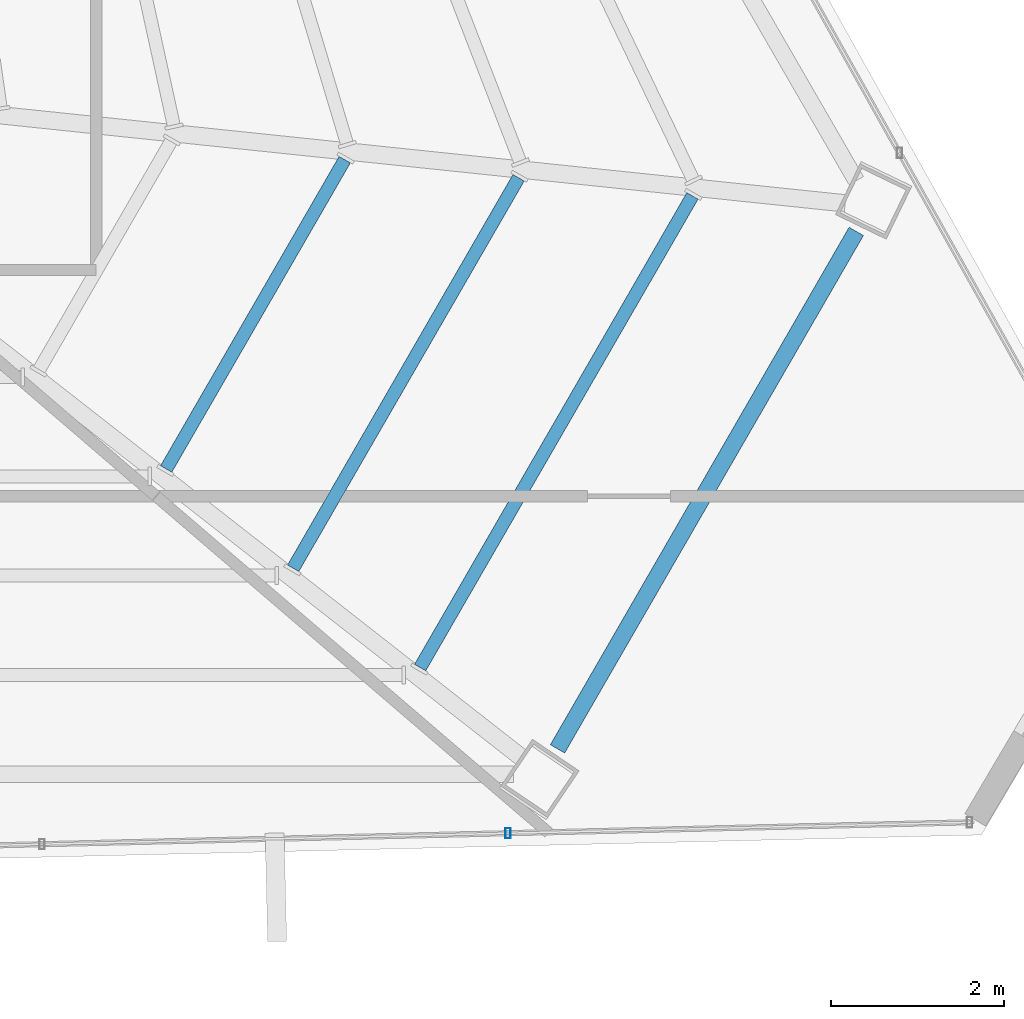
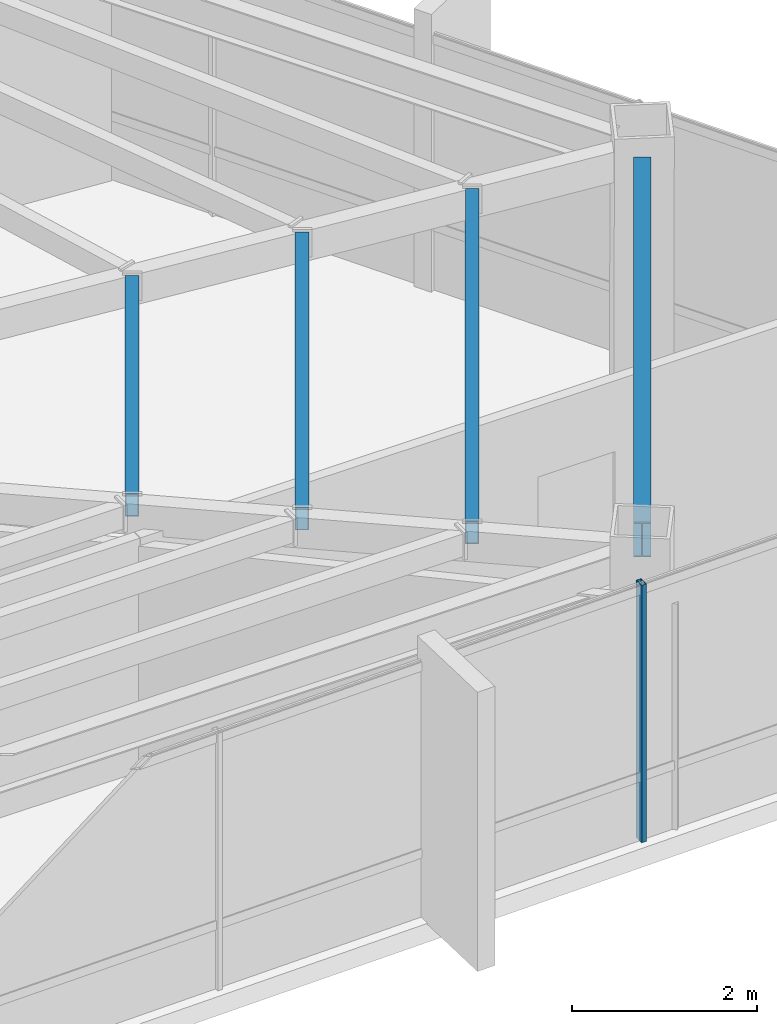
# One storey, part 21 of 47: 4 beams, 1 member, 1 element without a shape of its own.
"""IFC4 building model written with IfcOpenShell, lengths in metres."""

from ifc_helpers import new_model, si_unit, direction, frame, origin, origin_2d, place, context, subcontext, project, spatial, hollow_rectangle, i_section, extrude, source, transform, mapped, material, material_profile, profile_set, type_object, type_shapes, element, aggregate, save


model = new_model("IFC4")

# Units and contexts
model_context = context("Model", 3, precision=1e-05, world=origin(), true_north=direction((0.0, 1.0)))
body_context = subcontext(model_context, "Body", "Model", "MODEL_VIEW")
ifc_project = project(units=[si_unit("LENGTHUNIT", "METRE"), si_unit("AREAUNIT", "SQUARE_METRE"), si_unit("VOLUMEUNIT", "CUBIC_METRE"), si_unit("PLANEANGLEUNIT", "RADIAN"), si_unit("MASSUNIT", "GRAM", prefix="KILO")], contexts=[model_context])

# Site, building, storey
site_placement = place(None, origin())
site = spatial("IfcSite", under=ifc_project, at=site_placement, CompositionType="ELEMENT")
building_placement = place(site_placement, origin())
building = spatial("IfcBuilding", under=site, at=building_placement, Name="Caelisora Broadcast Tower", CompositionType="ELEMENT")
storey_placement = place(building_placement, frame((0.0, 0.0, 255.39990234375)))
storey = spatial("IfcBuildingStorey", under=building, at=storey_placement, Name="L67", CompositionType="ELEMENT", Elevation=255.39990234375)

# Beams
ifc_material_1 = material(Name="Steel Grade 350 (AS/NZS 3679.1)", Category="steel")
ifc_material_profile_1 = material_profile(ifc_material_1, i_section(OverallWidth=0.19091796875, OverallDepth=0.46044921875, WebThickness=0.010009765625, FlangeThickness=0.01611328125, at=origin_2d()), Name="Steel Grade 350 (AS/NZS 3679.1)")
ifc_profile_set_1 = profile_set([ifc_material_profile_1], Name="Steel Grade 350 (AS/NZS 3679.1)")
beam_type_1 = type_object("IfcBeamType", Name="PG06", PredefinedType="BEAM", material=ifc_profile_set_1)
shared_shape_1 = source(origin(), body_context, "Body", "SweptSolid", [
    extrude(i_section(OverallWidth=0.19091796875, OverallDepth=0.46044921875, WebThickness=0.010009765625, FlangeThickness=0.01611328125, at=origin_2d()), origin(), (0.0, 0.0, 1.0), 6.8896484375),
])
type_shapes(beam_type_1, [shared_shape_1])
beam_1_placement = place(storey_placement, frame((55.91845703125, 9.677001953125, 3.169921875), z_axis=(0.500003634978, 0.866023305119, 0.0), x_axis=(-0.866023305119, 0.500003634978, 0.0)))
element("IfcBeam", 1, at=beam_1_placement, inside=storey, type_object=beam_type_1, Name="L67 beam PG06", PredefinedType="BEAM", context=body_context, shape_type="MappedRepresentation", body=[
    mapped(shared_shape_1, transform((0.0, 0.0, 0.0), scale=1.0)),
])
ifc_material_2 = material(Name="Steel Grade 350 (AS/NZS 1163 C350L0)", Category="steel")
ifc_material_profile_2 = material_profile(ifc_material_2, hollow_rectangle(XDim=0.14990234375, YDim=0.300048828125, WallThickness=0.010009765625, at=origin_2d()), Name="Steel Grade 350 (AS/NZS 1163 C350L0)")
ifc_profile_set_2 = profile_set([ifc_material_profile_2], Name="Steel Grade 350 (AS/NZS 1163 C350L0)")
beam_type_2 = type_object("IfcBeamType", Name="SB05", PredefinedType="JOIST", material=ifc_profile_set_2)
shared_shape_2 = source(origin(), body_context, "Body", "SweptSolid", [
    extrude(hollow_rectangle(XDim=0.14990234375, YDim=0.300048828125, WallThickness=0.010009765625, at=origin_2d()), origin(), (0.0, 0.0, 1.0), 4.118408203125),
])
beam_2_placement = place(storey_placement, frame((51.406005859375, 12.904541015625, 3.25), z_axis=(0.499977321112, 0.866038497051, 0.0), x_axis=(-0.866038497051, 0.499977321112, 0.0)))
element("IfcBeam", 2, at=beam_2_placement, inside=storey, type_object=beam_type_2, Name="L67 beam SB05", PredefinedType="JOIST", context=body_context, shape_type="MappedRepresentation", body=[
    mapped(shared_shape_2, transform((0.0, 0.0, 0.0), scale=1.0)),
])
shared_shape_3 = source(origin(), body_context, "Body", "SweptSolid", [
    extrude(hollow_rectangle(XDim=0.14990234375, YDim=0.300048828125, WallThickness=0.010009765625, at=origin_2d()), origin(), (0.0, 0.0, 1.0), 5.19921875),
])
beam_3_placement = place(storey_placement, frame((52.8701171875, 11.759521484375, 3.25), z_axis=(0.499997499024, 0.866026847719, 0.0), x_axis=(-0.866026847719, 0.499997499024, 0.0)))
element("IfcBeam", 3, at=beam_3_placement, inside=storey, type_object=beam_type_2, Name="L67 beam SB05", PredefinedType="JOIST", context=body_context, shape_type="MappedRepresentation", body=[
    mapped(shared_shape_3, transform((0.0, 0.0, 0.0), scale=1.0)),
])
shared_shape_4 = source(origin(), body_context, "Body", "SweptSolid", [
    extrude(hollow_rectangle(XDim=0.14990234375, YDim=0.300048828125, WallThickness=0.010009765625, at=origin_2d()), origin(), (0.0, 0.0, 1.0), 6.280029296875),
])
type_shapes(beam_type_2, [shared_shape_2, shared_shape_3, shared_shape_4])
beam_4_placement = place(storey_placement, frame((54.334228515625, 10.614501953125, 3.25), z_axis=(0.500027565123, 0.866009488468, 0.0), x_axis=(-0.866009488468, 0.500027565123, 0.0)))
element("IfcBeam", 4, at=beam_4_placement, inside=storey, type_object=beam_type_2, Name="L67 beam SB05", PredefinedType="JOIST", context=body_context, shape_type="MappedRepresentation", body=[
    mapped(shared_shape_4, transform((0.0, 0.0, 0.0), scale=1.0)),
])

# Curtain wall, member
ifc_material_3 = material(Name="Unitised Aluminium and Low-E Glass Curtain Wall", Category="glass")
curtain_wall_type = type_object("IfcCurtainWallType", Name="CW-Z5", PredefinedType="NOTDEFINED", material=ifc_material_3)
curtain_wall_placement = place(storey_placement, origin())
curtain_wall = element("IfcCurtainWall", 5, at=curtain_wall_placement, inside=storey, type_object=curtain_wall_type, Name="L67 curtain wall CW-Z5", PredefinedType="NOTDEFINED")
ifc_material_4 = material(Name="Aluminium 6063-T6 Anodised Terracotta Bronze", Category="aluminium")
ifc_material_profile_3 = material_profile(ifc_material_4, hollow_rectangle(XDim=0.06005859375, YDim=0.1201171875, WallThickness=0.0029296875, at=origin_2d()), Name="Aluminium 6063-T6 Anodised Terracotta Bronze")
ifc_profile_set_3 = profile_set([ifc_material_profile_3], Name="Aluminium 6063-T6 Anodised Terracotta Bronze")
member_type = type_object("IfcMemberType", Name="CWM-04", PredefinedType="MULLION", material=ifc_profile_set_3)
shared_shape_5 = source(origin(), body_context, "Body", "SweptSolid", [
    extrude(hollow_rectangle(XDim=0.06005859375, YDim=0.1201171875, WallThickness=0.0029296875, at=origin_2d()), origin(), (0.0, 0.0, 1.0), 3.400146484375),
])
type_shapes(member_type, [shared_shape_5])
member_placement = place(storey_placement, frame((55.346923828125, 8.7041015625, 0.0), z_axis=(0.0, 0.0, 1.0), x_axis=(1.0, 0.0, 0.0)))
member = element("IfcMember", 6, at=member_placement, type_object=member_type, Name="L67-CW-B05 mullion #1", PredefinedType="MULLION", context=body_context, shape_type="MappedRepresentation", body=[
    mapped(shared_shape_5, transform((0.0, 0.0, 0.0), scale=1.0)),
])
aggregate(curtain_wall, [member])

save(model, "model.ifc")
